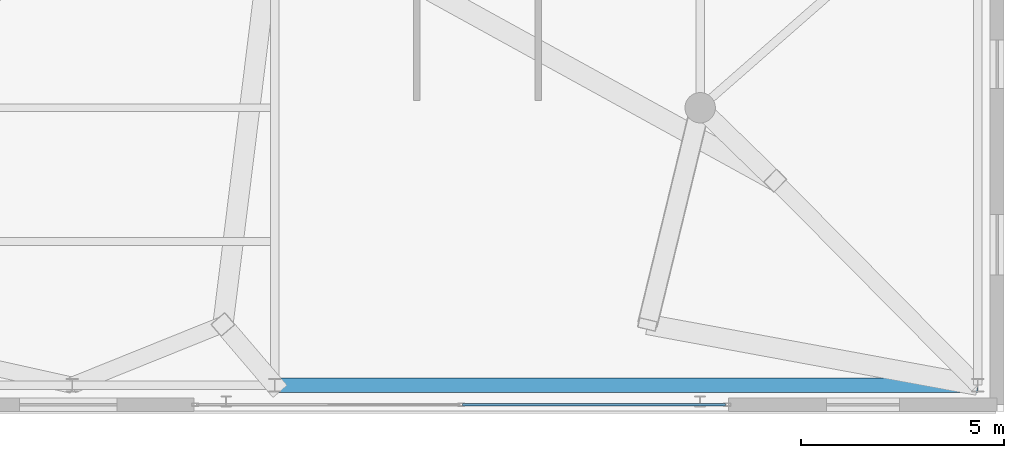
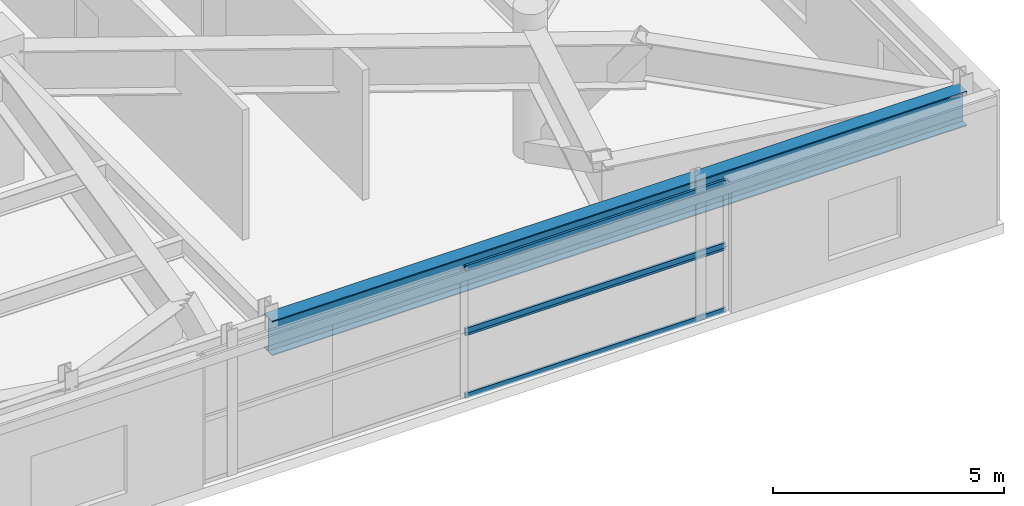
# One storey, part 16 of 27: 4 members, 1 beam, 2 elements without a shape of their own.
"""IFC4 building model written with IfcOpenShell, lengths in metres."""

from ifc_helpers import new_model, si_unit, direction, frame, origin, origin_2d, place, context, subcontext, project, spatial, hollow_rectangle, i_section, extrude, source, transform, mapped, material, layer, layer_set, material_profile, profile_set, type_object, element, aggregate, save


model = new_model("IFC4")

# Units and contexts
model_context = context("Model", 3, precision=1e-05, world=origin(), true_north=direction((0.0, 1.0)))
body_context = subcontext(model_context, "Body", "Model", "MODEL_VIEW")
ifc_project = project(units=[si_unit("LENGTHUNIT", "METRE"), si_unit("AREAUNIT", "SQUARE_METRE"), si_unit("VOLUMEUNIT", "CUBIC_METRE"), si_unit("PLANEANGLEUNIT", "RADIAN"), si_unit("MASSUNIT", "GRAM", prefix="KILO")], contexts=[model_context])

# Site, building, storey
site_placement = place(None, origin())
site = spatial("IfcSite", under=ifc_project, at=site_placement, CompositionType="ELEMENT")
building_placement = place(site_placement, origin())
building = spatial("IfcBuilding", under=site, at=building_placement, Name="Taldren Reach Tower", CompositionType="ELEMENT")
storey_placement = place(building_placement, frame((0.0, 0.0, 12.949951171875)))
storey = spatial("IfcBuildingStorey", under=building, at=storey_placement, Name="L03", CompositionType="ELEMENT", Elevation=12.949951171875)

# Beam
ifc_material_1 = material(Name="Steel Gr 350 (350PLUS)", Category="steel")
ifc_material_profile_1 = material_profile(ifc_material_1, i_section(OverallWidth=0.35009765625, OverallDepth=0.916015625, WebThickness=0.013916015625, FlangeThickness=0.028076171875, at=origin_2d()), Name="900WB257")
ifc_profile_set_1 = profile_set([ifc_material_profile_1], Name="Steel Gr 350 (350PLUS)")
beam_type = type_object("IfcBeamType", Name="BM-WB900", PredefinedType="BEAM", material=ifc_profile_set_1)
shared_shape_1 = source(origin(), body_context, "Body", "SweptSolid", [
    extrude(i_section(OverallWidth=0.35009765625, OverallDepth=0.916015625, WebThickness=0.013916015625, FlangeThickness=0.028076171875, at=origin_2d()), origin(), (0.0, 0.0, 1.0), 17.35009765625),
])
beam_placement = place(storey_placement, frame((52.0, 0.64990234375, 2.97216796875), z_axis=(1.0, 0.0, 0.0), x_axis=(0.0, 1.0, 0.0)))
element("IfcBeam", 1, at=beam_placement, inside=storey, type_object=beam_type, Name="Podium girder L03-PD07", PredefinedType="BEAM", context=body_context, shape_type="MappedRepresentation", body=[
    mapped(shared_shape_1, transform((0.0, 0.0, 0.0), scale=1.0)),
])

# Curtain wall, members
ifc_material_2 = material(Name="Aluminium and Low-E Glass Unitised System", Category="aluminium")
ifc_layer = layer(ifc_material_2, 0.159912109375)
ifc_layer_set = layer_set([ifc_layer], Name="Aluminium and Low-E Glass Unitised System")
curtain_wall_type = type_object("IfcCurtainWallType", Name="CW-SYS-1", PredefinedType="NOTDEFINED", material=ifc_layer_set)
curtain_wall_1_placement = place(storey_placement, origin())
curtain_wall_1 = element("IfcCurtainWall", 2, at=curtain_wall_1_placement, inside=storey, type_object=curtain_wall_type, Name="Unitised curtain wall CW1-L03-S3", PredefinedType="NOTDEFINED")
ifc_material_3 = material(Name="Anodised Aluminium 6063-T6", Category="aluminium")
ifc_material_profile_2 = material_profile(ifc_material_3, hollow_rectangle(XDim=0.06005859375, YDim=0.135009765625, WallThickness=0.00341796875, at=origin_2d()), Name="ALU-135x60x3.5RHS")
ifc_profile_set_2 = profile_set([ifc_material_profile_2], Name="Anodised Aluminium 6063-T6")
member_type = type_object("IfcMemberType", Name="CW-TRN-150", PredefinedType="USERDEFINED", material=ifc_profile_set_2)
shared_shape_2 = source(origin(), body_context, "Body", "SweptSolid", [
    extrude(hollow_rectangle(XDim=0.06005859375, YDim=0.135009765625, WallThickness=0.00341796875, at=origin_2d()), origin(), (0.0, 0.0, 1.0), 6.494873046875),
])
member_1_placement = place(storey_placement, frame((56.635009765625, 0.169921875, 0.030029296875), z_axis=(1.0, 0.0, 0.0), x_axis=(0.0, 1.0, 0.0)))
member_1 = element("IfcMember", 3, at=member_1_placement, type_object=member_type, Name="CW-1 transom 2.1", ObjectType="TRANSOM", PredefinedType="USERDEFINED", context=body_context, shape_type="MappedRepresentation", body=[
    mapped(shared_shape_2, transform((0.0, 0.0, 0.0), scale=1.0)),
])
member_2_placement = place(storey_placement, frame((56.635009765625, 0.169921875, 1.68505859375), z_axis=(1.0, 0.0, 0.0), x_axis=(0.0, 1.0, 0.0)))
member_2 = element("IfcMember", 4, at=member_2_placement, type_object=member_type, Name="CW-1 transom 2.2", ObjectType="TRANSOM", PredefinedType="USERDEFINED", context=body_context, shape_type="MappedRepresentation", body=[
    mapped(shared_shape_2, transform((0.0, 0.0, 0.0), scale=1.0)),
])
aggregate(curtain_wall_1, [member_1, member_2])

curtain_wall_2_placement = place(storey_placement, origin())
curtain_wall_2 = element("IfcCurtainWall", 5, at=curtain_wall_2_placement, inside=storey, type_object=curtain_wall_type, Name="Unitised curtain wall CW1-L03-S3-T2", PredefinedType="NOTDEFINED")
member_3_placement = place(storey_placement, frame((56.635009765625, 0.169921875, 1.7451171875), z_axis=(1.0, 0.0, 0.0), x_axis=(0.0, 1.0, 0.0)))
member_3 = element("IfcMember", 6, at=member_3_placement, type_object=member_type, Name="CW-1 transom 2.1", ObjectType="TRANSOM", PredefinedType="USERDEFINED", context=body_context, shape_type="MappedRepresentation", body=[
    mapped(shared_shape_2, transform((0.0, 0.0, 0.0), scale=1.0)),
])
member_4_placement = place(storey_placement, frame((56.635009765625, 0.169921875, 3.400146484375), z_axis=(1.0, 0.0, 0.0), x_axis=(0.0, 1.0, 0.0)))
member_4 = element("IfcMember", 7, at=member_4_placement, type_object=member_type, Name="CW-1 transom 2.2", ObjectType="TRANSOM", PredefinedType="USERDEFINED", context=body_context, shape_type="MappedRepresentation", body=[
    mapped(shared_shape_2, transform((0.0, 0.0, 0.0), scale=1.0)),
])
aggregate(curtain_wall_2, [member_3, member_4])

save(model, "model.ifc")
